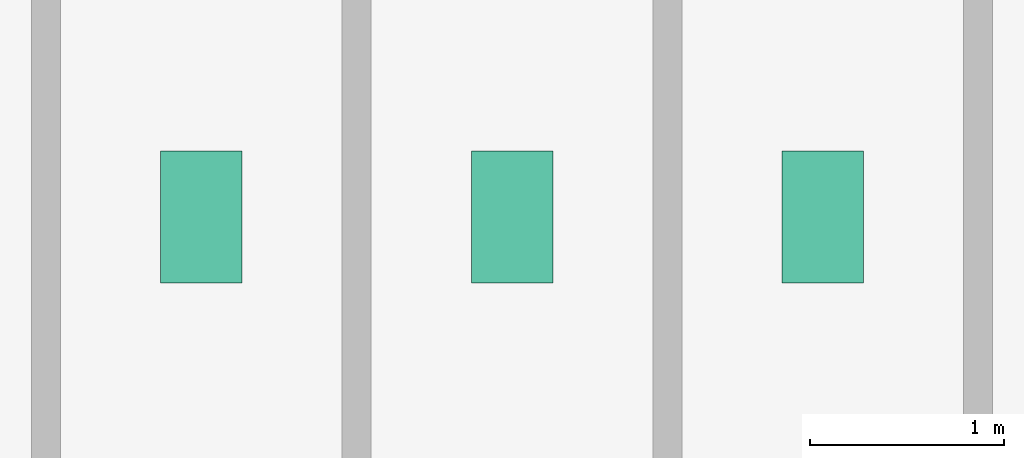
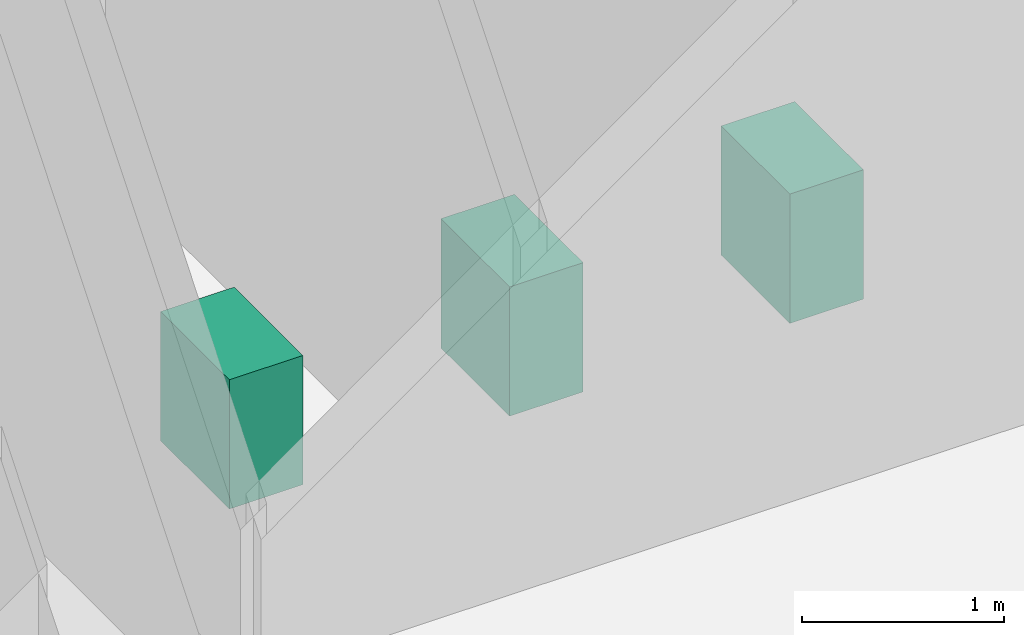
# One storey, part 22 of 22: 3 sanitary terminals.
"""IFC4 building model written with IfcOpenShell, lengths in metres."""

from ifc_helpers import new_model, si_unit, derived_unit, direction, frame, origin, origin_2d, place, context, subcontext, project, spatial, rectangle, extrude, source, transform, mapped, material, type_object, element, save


model = new_model("IFC4")

# Units and contexts
model_context = context("Model", 3, precision=1e-05, world=origin(), true_north=direction((0.0, 1.0)))
body_context = subcontext(model_context, "Body", "Model", "MODEL_VIEW")
ifc_project = project(units=[si_unit("LENGTHUNIT", "METRE"), si_unit("AREAUNIT", "SQUARE_METRE"), si_unit("VOLUMEUNIT", "CUBIC_METRE"), si_unit("PLANEANGLEUNIT", "RADIAN"), si_unit("MASSUNIT", "GRAM", prefix="KILO"), derived_unit("THERMALTRANSMITTANCEUNIT", [(si_unit("POWERUNIT", "WATT"), 1), (si_unit("LENGTHUNIT", "METRE"), -2), (si_unit("THERMODYNAMICTEMPERATUREUNIT", "KELVIN"), -1)])], contexts=[model_context])

# Site, building, storey
site_placement = place(None, origin())
site = spatial("IfcSite", under=ifc_project, at=site_placement, CompositionType="ELEMENT")
building_placement = place(site_placement, origin())
building = spatial("IfcBuilding", under=site, at=building_placement, Name="Skarnbrae Concourse Arena and Tower", CompositionType="ELEMENT")
storey_placement = place(building_placement, frame((0.0, 0.0, 199.550048828125)))
storey = spatial("IfcBuildingStorey", under=building, at=storey_placement, Name="L51", CompositionType="ELEMENT", Elevation=199.550048828125)

# Sanitary terminals
ifc_material = material(Name="Vitreous china sanitaryware", Category="other")
sanitary_terminal_type = type_object("IfcSanitaryTerminalType", Name="SAN-WC-VITREOUS", PredefinedType="TOILETPAN", material=ifc_material)
shared_shape = source(origin(), body_context, "Body", "SweptSolid", [
    extrude(rectangle(XDim=0.419921875, YDim=0.679931640625, at=origin_2d()), origin(), (0.0, 0.0, 1.0), 0.780029296875),
])
for number, where, z_axis, x_axis, name in (
    (1, (35.0, 11.39990234375, 0.0), (0.0, 0.0, 1.0), (1.0, 0.0, 0.0), "L51 Washroom WC fixture 1"),
    (2, (36.60009765625, 11.39990234375, 0.0), (0.0, 0.0, 1.0), (1.0, 0.0, 0.0), "L51 Washroom WC fixture 2"),
    (3, (38.199951171875, 11.39990234375, 0.0), (0.0, 0.0, 1.0), (1.0, 0.0, 0.0), "L51 Washroom WC fixture 3"),
):
    element("IfcSanitaryTerminal", number, at=place(storey_placement, frame(where, z_axis=z_axis, x_axis=x_axis)), inside=storey, type_object=sanitary_terminal_type, Name=name, PredefinedType="TOILETPAN", context=body_context, shape_type="MappedRepresentation", body=[
        mapped(shared_shape, transform((0.0, 0.0, 0.0))),
    ])

save(model, "model.ifc")
